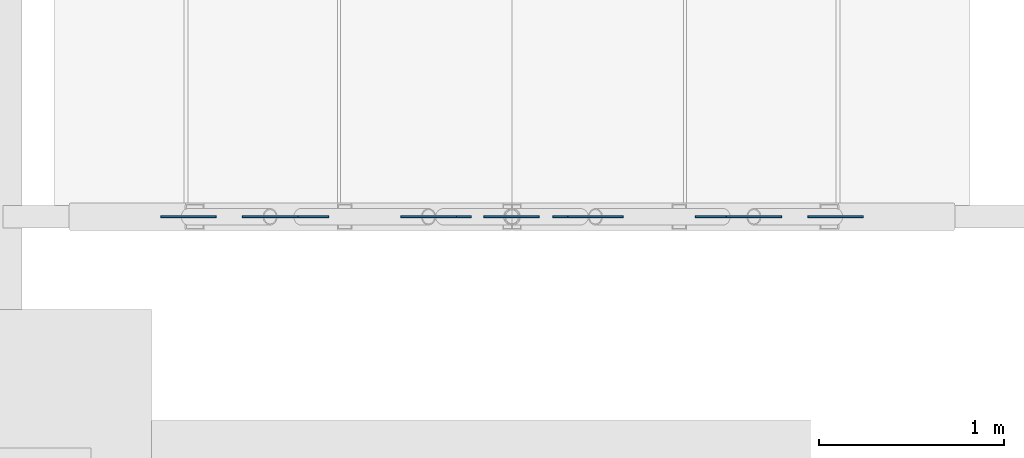
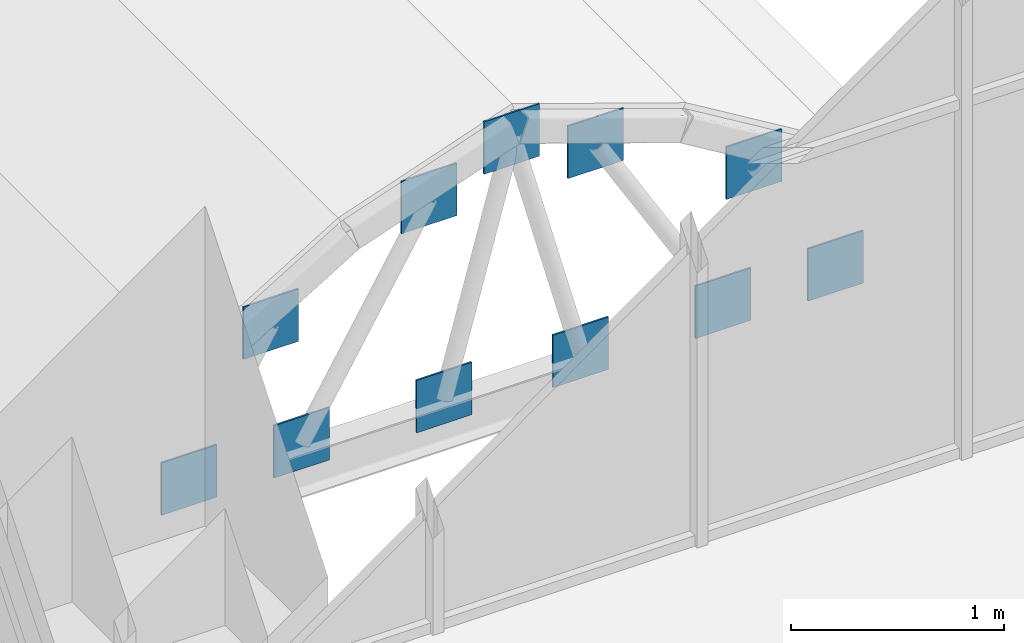
# One storey, part 50 of 80: 11 discrete accessories.
"""IFC4 building model written with IfcOpenShell, lengths in metres."""

from ifc_helpers import new_model, si_unit, direction, frame, origin, origin_2d, place, context, subcontext, project, spatial, rectangle, extrude, material, material_profile, profile_set, type_object, element, save


model = new_model("IFC4")

# Units and contexts
model_context = context("Model", 3, precision=1e-05, world=origin(), true_north=direction((0.0, 1.0)))
body_context = subcontext(model_context, "Body", "Model", "MODEL_VIEW")
ifc_project = project(units=[si_unit("LENGTHUNIT", "METRE"), si_unit("AREAUNIT", "SQUARE_METRE"), si_unit("VOLUMEUNIT", "CUBIC_METRE"), si_unit("PLANEANGLEUNIT", "RADIAN"), si_unit("MASSUNIT", "GRAM", prefix="KILO")], contexts=[model_context])

# Site, building, storey
site_placement = place(None, origin())
site = spatial("IfcSite", under=ifc_project, at=site_placement, CompositionType="ELEMENT")
building_placement = place(site_placement, origin())
building = spatial("IfcBuilding", under=site, at=building_placement, Name="Saffron Lane Theatres", CompositionType="ELEMENT")
storey_placement = place(building_placement, frame((0.0, 0.0, 7.0)))
storey = spatial("IfcBuildingStorey", under=building, at=storey_placement, Name="L01", CompositionType="ELEMENT", Elevation=7.0)

# Discrete accessories
ifc_material = material(Name="Steel Grade 350", Category="steel")
ifc_material_profile = material_profile(ifc_material, rectangle(XDim=0.300048828125, YDim=0.300048828125, at=origin_2d()))
ifc_profile_set = profile_set([ifc_material_profile], Name="Steel Grade 350")
discrete_accessory_type = type_object("IfcDiscreteAccessoryType", Name="ST-GUSSET CONNECTION PLATE", PredefinedType="BRACKET", material=ifc_profile_set)
for number, where, z_axis, x_axis, name in (
    (1, (55.400390625, 31.594970703125, -0.107177734375), (0.0, 1.0, 0.0), (-1.0, 0.0, 0.0), "GB577"),
    (2, (55.84228515625, 31.594970703125, 0.6298828125), (0.0, 1.0, 0.0), (-1.0, 0.0, 0.0), "GB578"),
    (3, (56.009033203125, 31.594970703125, -0.107177734375), (0.0, 1.0, 0.0), (-1.0, 0.0, 0.0), "GB579"),
    (4, (56.69873046875, 31.594970703125, 1.049560546875), (0.0, 1.0, 0.0), (-1.0, 0.0, 0.0), "GB580"),
    (5, (58.291015625, 31.594970703125, -0.107177734375), (0.0, 1.0, 0.0), (-1.0, 0.0, 0.0), "GB581"),
    (6, (57.60107421875, 31.594970703125, 1.049560546875), (0.0, 1.0, 0.0), (-1.0, 0.0, 0.0), "GB582"),
    (7, (58.899658203125, 31.594970703125, -0.107177734375), (0.0, 1.0, 0.0), (-1.0, 0.0, 0.0), "GB583"),
    (8, (58.457763671875, 31.594970703125, 0.6298828125), (0.0, 1.0, 0.0), (-1.0, 0.0, 0.0), "GB584"),
    (9, (56.7802734375, 31.594970703125, -0.118408203125), (0.0, 1.0, 0.0), (-1.0, 0.0, 0.0), "GB673"),
    (10, (57.146728515625, 31.594970703125, 1.2333984375), (0.0, 1.0, 0.0), (-1.0, 0.0, 0.0), "GB674"),
    (11, (57.519775390625, 31.594970703125, -0.118408203125), (0.0, 1.0, 0.0), (-1.0, 0.0, 0.0), "GB675"),
):
    element("IfcDiscreteAccessory", number, at=place(storey_placement, frame(where, z_axis=z_axis, x_axis=x_axis)), inside=storey, type_object=discrete_accessory_type, Name=name, PredefinedType="BRACKET", context=body_context, shape_type="SweptSolid", body=[
        extrude(rectangle(XDim=0.300048828125, YDim=0.300048828125, at=origin_2d()), origin(), (0.0, 0.0, 1.0), 0.010009765625),
    ])

save(model, "model.ifc")
